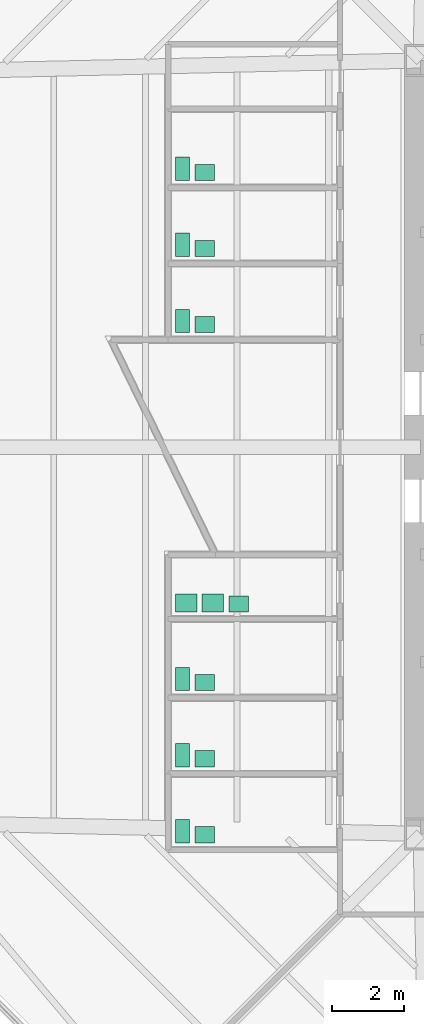
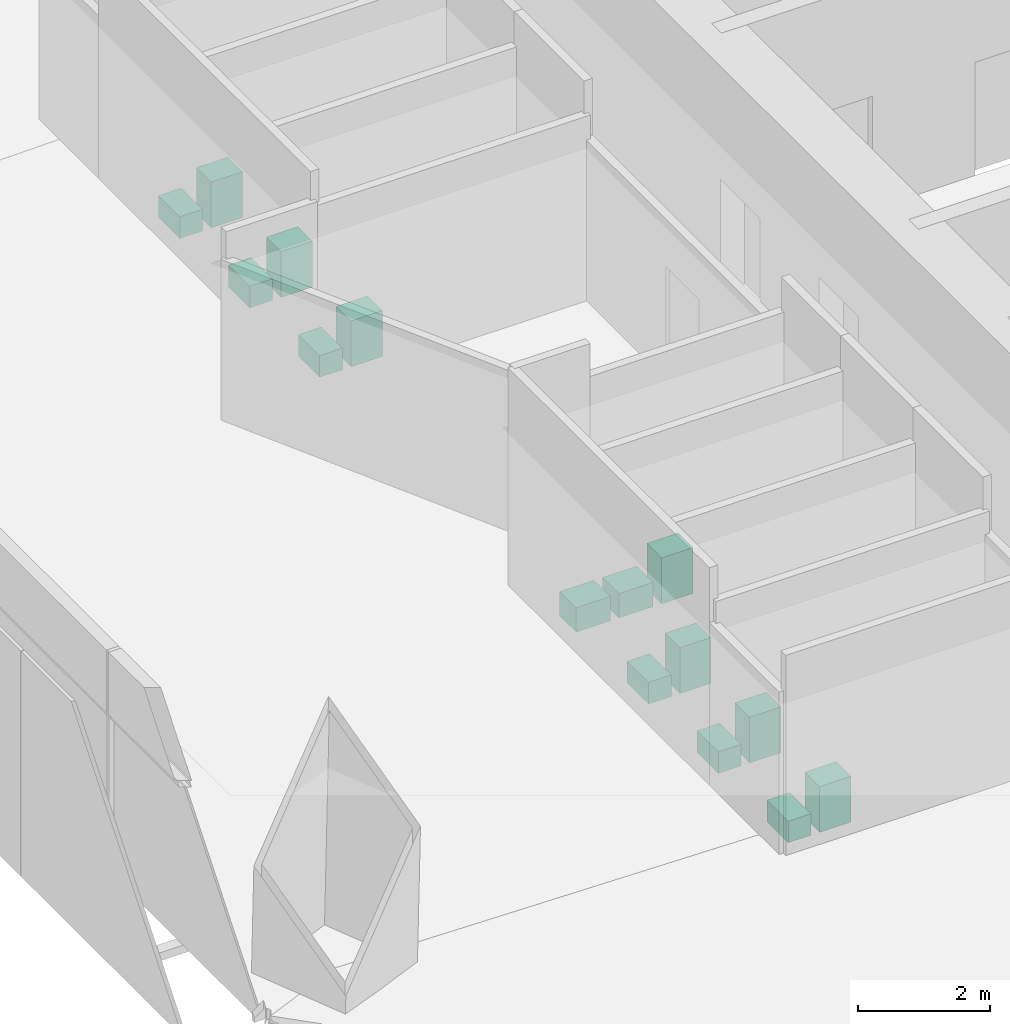
# One storey, part 15 of 15: 15 sanitary terminals.
"""IFC4 building model written with IfcOpenShell, lengths in metres."""

from ifc_helpers import new_model, si_unit, direction, frame, origin, origin_2d, place, context, subcontext, project, spatial, rectangle, extrude, material, type_object, element, save


model = new_model("IFC4")

# Units and contexts
model_context = context("Model", 3, precision=1e-05, world=origin(), true_north=direction((0.0, 1.0)))
body_context = subcontext(model_context, "Body", "Model", "MODEL_VIEW")
ifc_project = project(units=[si_unit("LENGTHUNIT", "METRE"), si_unit("AREAUNIT", "SQUARE_METRE"), si_unit("VOLUMEUNIT", "CUBIC_METRE"), si_unit("PLANEANGLEUNIT", "RADIAN"), si_unit("MASSUNIT", "GRAM", prefix="KILO")], contexts=[model_context])

# Site, building, storey
site_placement = place(None, origin())
site = spatial("IfcSite", under=ifc_project, at=site_placement, CompositionType="ELEMENT")
building_placement = place(site_placement, origin())
building = spatial("IfcBuilding", under=site, at=building_placement, Name="Mashrafa Tower", CompositionType="ELEMENT")
storey_placement = place(building_placement, frame((0.0, 0.0, 37.199951171875)))
storey = spatial("IfcBuildingStorey", under=building, at=storey_placement, Name="L07", CompositionType="ELEMENT", Elevation=37.199951171875)

# Sanitary terminals
ifc_material_1 = material(Name="Stainless steel", Category="steel")
sanitary_terminal_type_1 = type_object("IfcSanitaryTerminalType", Name="Ablution wash station 600 x 500", PredefinedType="WASHHANDBASIN", material=ifc_material_1)
for number, where, z_axis, x_axis, name in (
    (1, (-17.35009765625, -4.35009765625, 0.0), (0.0, 0.0, 1.0), (1.0, 0.0, 0.0), "Ablution wash station Ablution Room L07 S"),
    (2, (-16.60009765625, -4.35009765625, 0.0), (0.0, 0.0, 1.0), (1.0, 0.0, 0.0), "Ablution wash station Ablution Room L07 S"),
):
    element("IfcSanitaryTerminal", number, at=place(storey_placement, frame(where, z_axis=z_axis, x_axis=x_axis)), inside=storey, type_object=sanitary_terminal_type_1, Name=name, PredefinedType="WASHHANDBASIN", context=body_context, shape_type="SweptSolid", body=[
        extrude(rectangle(XDim=0.60009765625, YDim=0.5, at=origin_2d()), origin(), (0.0, 0.0, 1.0), 0.449951171875),
    ])
ifc_material_2 = material(Name="Vitreous china")
sanitary_terminal_type_2 = type_object("IfcSanitaryTerminalType", Name="Toilet pan 400 x 650", PredefinedType="TOILETPAN", material=ifc_material_2)
for number, where, z_axis, x_axis, name in (
    (3, (-17.449951171875, 3.52490234375, 0.0), (0.0, 0.0, 1.0), (1.0, 0.0, 0.0), "Toilet pan WC Female L07 N"),
    (4, (-17.449951171875, 5.64990234375, 0.0), (0.0, 0.0, 1.0), (1.0, 0.0, 0.0), "Toilet pan WC Male L07 N"),
    (5, (-17.449951171875, 7.77490234375, 0.0), (0.0, 0.0, 1.0), (1.0, 0.0, 0.0), "Toilet pan Accessible WC L07 N"),
    (6, (-17.449951171875, -10.72509765625, 0.0), (0.0, 0.0, 1.0), (1.0, 0.0, 0.0), "Toilet pan WC Female L07 S"),
    (7, (-17.449951171875, -8.60009765625, 0.0), (0.0, 0.0, 1.0), (1.0, 0.0, 0.0), "Toilet pan WC Male L07 S"),
    (8, (-17.449951171875, -6.47509765625, 0.0), (0.0, 0.0, 1.0), (1.0, 0.0, 0.0), "Toilet pan Accessible WC L07 S"),
):
    element("IfcSanitaryTerminal", number, at=place(storey_placement, frame(where, z_axis=z_axis, x_axis=x_axis)), inside=storey, type_object=sanitary_terminal_type_2, Name=name, PredefinedType="TOILETPAN", context=body_context, shape_type="SweptSolid", body=[
        extrude(rectangle(XDim=0.39990234375, YDim=0.64990234375, at=origin_2d()), origin(), (0.0, 0.0, 1.0), 0.39990234375),
    ])
ifc_material_3 = material(Name="Vitreous china")
sanitary_terminal_type_3 = type_object("IfcSanitaryTerminalType", Name="Wash basin 550 x 450", PredefinedType="WASHHANDBASIN", material=ifc_material_3)
for number, where, z_axis, x_axis, name in (
    (9, (-16.824951171875, 3.425048828125, 0.0), (0.0, 0.0, 1.0), (1.0, 0.0, 0.0), "Wash basin WC Female L07 N"),
    (10, (-16.824951171875, 5.550048828125, 0.0), (0.0, 0.0, 1.0), (1.0, 0.0, 0.0), "Wash basin WC Male L07 N"),
    (11, (-16.824951171875, 7.675048828125, 0.0), (0.0, 0.0, 1.0), (1.0, 0.0, 0.0), "Wash basin Accessible WC L07 N"),
    (12, (-16.824951171875, -10.824951171875, 0.0), (0.0, 0.0, 1.0), (1.0, 0.0, 0.0), "Wash basin WC Female L07 S"),
    (13, (-16.824951171875, -8.699951171875, 0.0), (0.0, 0.0, 1.0), (1.0, 0.0, 0.0), "Wash basin WC Male L07 S"),
    (14, (-16.824951171875, -6.574951171875, 0.0), (0.0, 0.0, 1.0), (1.0, 0.0, 0.0), "Wash basin Accessible WC L07 S"),
    (15, (-15.875, -4.375, 0.0), (0.0, 0.0, 1.0), (1.0, 0.0, 0.0), "Wash basin Ablution Room L07 S"),
):
    element("IfcSanitaryTerminal", number, at=place(storey_placement, frame(where, z_axis=z_axis, x_axis=x_axis)), inside=storey, type_object=sanitary_terminal_type_3, Name=name, PredefinedType="WASHHANDBASIN", context=body_context, shape_type="SweptSolid", body=[
        extrude(rectangle(XDim=0.550048828125, YDim=0.449951171875, at=origin_2d()), origin(), (0.0, 0.0, 1.0), 0.85009765625),
    ])

save(model, "model.ifc")
